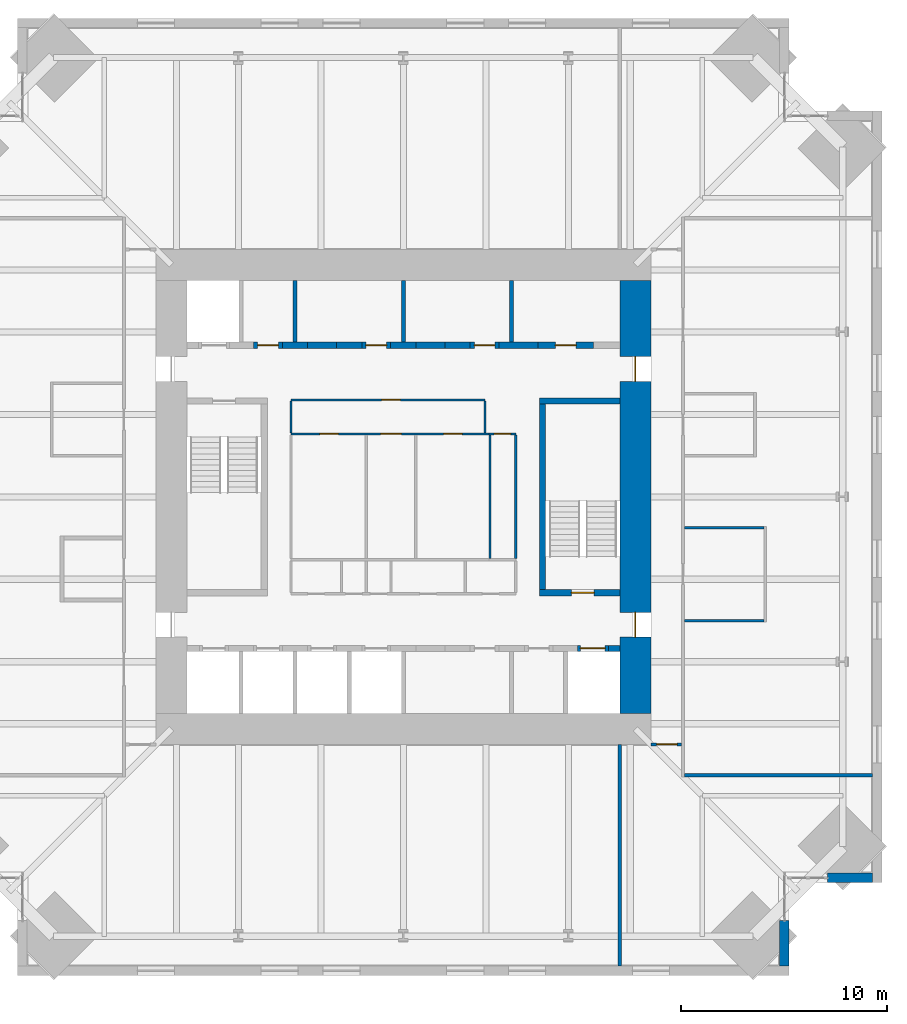
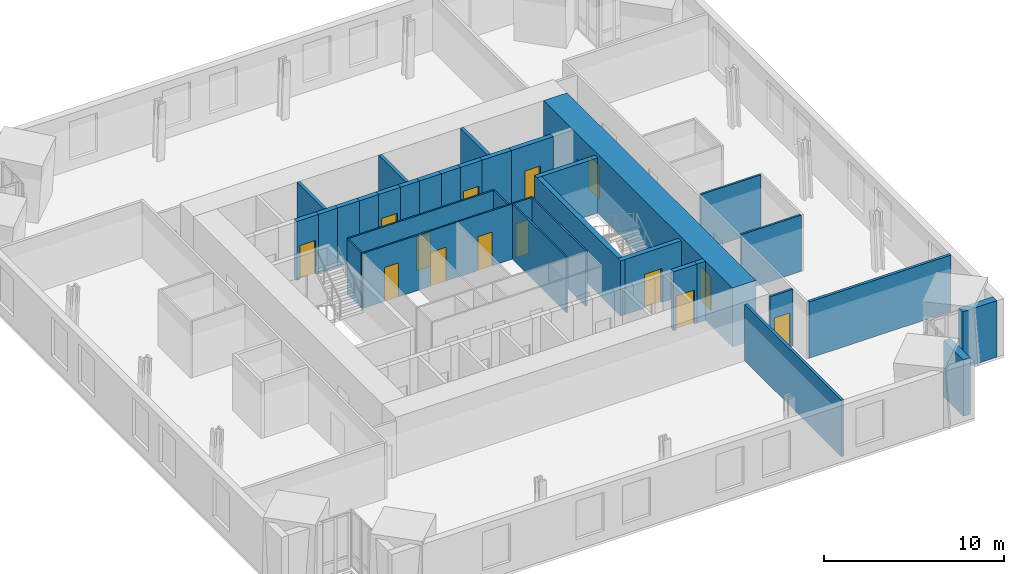
# One storey, part 12 of 15: 34 walls, 14 doors, 14 openings.
"""IFC4 building model written with IfcOpenShell, lengths in metres."""

from ifc_helpers import new_model, si_unit, direction, frame, frame_2d, origin, place, context, subcontext, project, spatial, rectangle, extrude, material, layer, layer_set, type_object, element, fill, save


model = new_model("IFC4")

# Units and contexts
model_context = context("Model", 3, precision=1e-05, world=origin(), true_north=direction((0.0, 1.0)))
body_context = subcontext(model_context, "Body", "Model", "MODEL_VIEW")
ifc_project = project(units=[si_unit("LENGTHUNIT", "METRE"), si_unit("AREAUNIT", "SQUARE_METRE"), si_unit("VOLUMEUNIT", "CUBIC_METRE"), si_unit("PLANEANGLEUNIT", "RADIAN"), si_unit("MASSUNIT", "GRAM", prefix="KILO")], contexts=[model_context])

# Site, building, storey
site_placement = place(None, origin())
site = spatial("IfcSite", under=ifc_project, at=site_placement, CompositionType="ELEMENT")
building_placement = place(site_placement, origin())
building = spatial("IfcBuilding", under=site, at=building_placement, Name="Peilmerk Tower", CompositionType="ELEMENT")
storey_placement = place(building_placement, frame((0.0, 0.0, 237.800048828125)))
storey = spatial("IfcBuildingStorey", under=building, at=storey_placement, Name="L52", CompositionType="ELEMENT", Elevation=237.800048828125)

# Walls
ifc_material_1 = material(Name="Precast concrete C45/55, board-marked finish", Category="concrete")
ifc_layer_1 = layer(ifc_material_1, 0.449951171875)
ifc_layer_set_1 = layer_set([ifc_layer_1], Name="Precast concrete C45/55, board-marked finish")
wall_type_1 = type_object("IfcWallType", Name="EW1 450 precast concrete facade wall, board-marked", PredefinedType="SOLIDWALL", material=ifc_layer_set_1)
for number, where, z_axis, x_axis, name in (
    (1, (18.47509765625, -20.5537109375, 0.0), (0.0, 0.0, 1.0), (0.0, -1.0, 0.0), "Facade wall SEA L52"),
    (2, (20.5537109375, -18.47509765625, 0.0), (0.0, 0.0, 1.0), (1.0, 0.0, 0.0), "Facade wall SEB L52"),
):
    element("IfcWall", number, at=place(storey_placement, frame(where, z_axis=z_axis, x_axis=x_axis)), inside=storey, type_object=wall_type_1, Name=name, PredefinedType="SOLIDWALL", context=body_context, shape_type="SweptSolid", body=[
        extrude(rectangle(XDim=2.1962890625, YDim=0.449951171875, at=frame_2d((1.09814453125, 0.0))), origin(), (0.0, 0.0, 1.0), 3.829833984375),
    ])

# Wall, opening, door
ifc_material_2 = material(Name="Calcium silicate block", Category="masonry")
ifc_layer_2 = layer(ifc_material_2, 0.14990234375)
ifc_layer_set_2 = layer_set([ifc_layer_2], Name="Calcium silicate block")
wall_type_2 = type_object("IfcWallType", Name="IW1 150 corridor partition, EI 60", PredefinedType="PARTITIONING", material=ifc_layer_set_2)
wall_1_placement = place(storey_placement, frame((13.47509765625, -12.0, 0.0), z_axis=(0.0, 0.0, 1.0), x_axis=(-1.0, 0.0, 0.0)))
wall_1 = element("IfcWall", 3, at=wall_1_placement, inside=storey, type_object=wall_type_2, Name="Corridor wall SE L52", PredefinedType="PARTITIONING", context=body_context, shape_type="SweptSolid", body=[
    extrude(rectangle(XDim=1.47509765625, YDim=0.14990234375, at=frame_2d((0.737548828125, 0.0))), origin(), (0.0, 0.0, 1.0), 3.829833984375),
])
opening_1_placement = place(wall_1_placement, frame((0.199951171875, 0.0, 0.0)))
opening_1 = element("IfcOpeningElement", 4, at=opening_1_placement, cuts=wall_1, Name="Opening D1", PredefinedType="OPENING", context=body_context, shape_type="SweptSolid", body=[
    extrude(rectangle(XDim=1.0, YDim=2.300048828125, at=frame_2d((0.5, 1.14990234375))), frame((0.0, 0.0849609375, 0.0), z_axis=(0.0, -1.0, 0.0), x_axis=(1.0, 0.0, 0.0)), (0.0, 0.0, 1.0), 0.169921875),
])
ifc_material_3 = material(Name="Timber door in steel frame", Category="steel")
door_type_1 = type_object("IfcDoorType", Name="D1 1000x2300 room door, EI2 30", OperationType="SINGLE_SWING_LEFT", PredefinedType="DOOR", material=ifc_material_3)
door_1_placement = place(opening_1_placement, origin())
door_1 = element("IfcDoor", 5, at=door_1_placement, inside=storey, type_object=door_type_1, Name="Door Project room L52", OperationType="SINGLE_SWING_LEFT", OverallHeight=2.300048828125, OverallWidth=1.0, PredefinedType="DOOR", context=body_context, shape_type="SweptSolid", body=[
    extrude(rectangle(XDim=1.0, YDim=2.300048828125, at=frame_2d((0.5, 1.14990234375))), frame((0.0, 0.02490234375, 0.0), z_axis=(0.0, -1.0, 0.0), x_axis=(1.0, 0.0, 0.0)), (0.0, 0.0, 1.0), 0.050048828125),
])
fill(opening_1, door_1)

# Walls
ifc_material_4 = material(Name="Concrete C35/45", Category="concrete")
ifc_layer_3 = layer(ifc_material_4, 0.300048828125)
ifc_layer_set_3 = layer_set([ifc_layer_3], Name="Concrete C35/45")
wall_type_3 = type_object("IfcWallType", Name="IW3 300 concrete stair enclosure wall, EI 120", PredefinedType="SOLIDWALL", material=ifc_layer_set_3)
wall_2_placement = place(storey_placement, frame((6.75, -4.800048828125, 0.0), z_axis=(0.0, 0.0, 1.0), x_axis=(0.0, 1.0, 0.0)))
element("IfcWall", 6, at=wall_2_placement, inside=storey, type_object=wall_type_3, Name="Stair 2 enclosure L52", PredefinedType="SOLIDWALL", context=body_context, shape_type="SweptSolid", body=[
    extrude(rectangle(XDim=9.60009765625, YDim=0.300048828125, at=frame_2d((4.800048828125, 0.0))), origin(), (0.0, 0.0, 1.0), 3.75),
])
wall_3_placement = place(storey_placement, frame((6.60009765625, 4.64990234375, 0.0), z_axis=(0.0, 0.0, 1.0), x_axis=(1.0, 0.0, 0.0)))
element("IfcWall", 7, at=wall_3_placement, inside=storey, type_object=wall_type_3, Name="Stair 2 enclosure L52", PredefinedType="SOLIDWALL", context=body_context, shape_type="SweptSolid", body=[
    extrude(rectangle(XDim=3.89990234375, YDim=0.300048828125, at=frame_2d((1.949951171875, 0.0))), origin(), (0.0, 0.0, 1.0), 3.75),
])

# Wall, opening, door
wall_4_placement = place(storey_placement, frame((10.5, -4.64990234375, 0.0), z_axis=(0.0, 0.0, 1.0), x_axis=(-1.0, 0.0, 0.0)))
wall_4 = element("IfcWall", 8, at=wall_4_placement, inside=storey, type_object=wall_type_3, Name="Stair 2 enclosure L52", PredefinedType="SOLIDWALL", context=body_context, shape_type="SweptSolid", body=[
    extrude(rectangle(XDim=3.89990234375, YDim=0.300048828125, at=frame_2d((1.949951171875, 0.0))), origin(), (0.0, 0.0, 1.0), 3.75),
])
opening_2_placement = place(wall_4_placement, frame((1.25, 0.0, 0.0)))
opening_2 = element("IfcOpeningElement", 9, at=opening_2_placement, cuts=wall_4, Name="Opening D4", PredefinedType="OPENING", context=body_context, shape_type="SweptSolid", body=[
    extrude(rectangle(XDim=1.10009765625, YDim=2.300048828125, at=frame_2d((0.550048828125, 1.14990234375))), frame((0.0, 0.159912109375, 0.0), z_axis=(0.0, -1.0, 0.0), x_axis=(1.0, 0.0, 0.0)), (0.0, 0.0, 1.0), 0.320068359375),
])
ifc_material_5 = material(Name="Steel door in steel frame", Category="steel")
door_type_2 = type_object("IfcDoorType", Name="D4 1100x2300 stair door, EI2 60", OperationType="SINGLE_SWING_RIGHT", PredefinedType="DOOR", material=ifc_material_5)
door_2_placement = place(opening_2_placement, frame((1.10009765625, 0.0, 0.0), z_axis=(0.0, 0.0, 1.0), x_axis=(-1.0, 0.0, 0.0)))
door_2 = element("IfcDoor", 10, at=door_2_placement, inside=storey, type_object=door_type_2, Name="Stair 2 door L52", OperationType="SINGLE_SWING_RIGHT", OverallHeight=2.300048828125, OverallWidth=1.10009765625, PredefinedType="DOOR", context=body_context, shape_type="SweptSolid", body=[
    extrude(rectangle(XDim=1.10009765625, YDim=2.300048828125, at=frame_2d((0.550048828125, 1.14990234375))), frame((0.0, 0.02490234375, 0.0), z_axis=(0.0, -1.0, 0.0), x_axis=(1.0, 0.0, 0.0)), (0.0, 0.0, 1.0), 0.050048828125),
])
fill(opening_2, door_2)

# Wall, openings, doors
ifc_material_6 = material(Name="Plasterboard on steel studs", Category="steel")
ifc_layer_4 = layer(ifc_material_6, 0.10009765625)
ifc_layer_set_4 = layer_set([ifc_layer_4], Name="Plasterboard on steel studs")
wall_type_4 = type_object("IfcWallType", Name="IW4 100 WC partition", PredefinedType="PARTITIONING", material=ifc_layer_set_4)
wall_5_placement = place(storey_placement, frame((-5.449951171875, 3.050048828125, 0.0), z_axis=(0.0, 0.0, 1.0), x_axis=(1.0, 0.0, 0.0)))
wall_5 = element("IfcWall", 11, at=wall_5_placement, inside=storey, type_object=wall_type_4, Name="WC wall L52", PredefinedType="PARTITIONING", context=body_context, shape_type="SweptSolid", body=[
    extrude(rectangle(XDim=9.599853515625, YDim=0.10009765625, at=frame_2d((4.7998046875, 0.0))), origin(), (0.0, 0.0, 1.0), 3.75),
])
opening_3_placement = place(wall_5_placement, frame((1.39990234375, 0.0, 0.0)))
opening_3 = element("IfcOpeningElement", 12, at=opening_3_placement, cuts=wall_5, Name="Opening D5", PredefinedType="OPENING", context=body_context, shape_type="SweptSolid", body=[
    extrude(rectangle(XDim=0.89990234375, YDim=2.300048828125, at=frame_2d((0.449951171875, 1.14990234375))), frame((0.0, 0.06005859375, 0.0), z_axis=(0.0, -1.0, 0.0), x_axis=(1.0, 0.0, 0.0)), (0.0, 0.0, 1.0), 0.1201171875),
])
opening_4_placement = place(wall_5_placement, frame((4.35009765625, 0.0, 0.0)))
opening_4 = element("IfcOpeningElement", 13, at=opening_4_placement, cuts=wall_5, Name="Opening D6", PredefinedType="OPENING", context=body_context, shape_type="SweptSolid", body=[
    extrude(rectangle(XDim=1.0, YDim=2.300048828125, at=frame_2d((0.5, 1.14990234375))), frame((0.0, 0.06005859375, 0.0), z_axis=(0.0, -1.0, 0.0), x_axis=(1.0, 0.0, 0.0)), (0.0, 0.0, 1.0), 0.1201171875),
])
opening_5_placement = place(wall_5_placement, frame((7.39990234375, 0.0, 0.0)))
opening_5 = element("IfcOpeningElement", 14, at=opening_5_placement, cuts=wall_5, Name="Opening D5", PredefinedType="OPENING", context=body_context, shape_type="SweptSolid", body=[
    extrude(rectangle(XDim=0.89990234375, YDim=2.300048828125, at=frame_2d((0.449951171875, 1.14990234375))), frame((0.0, 0.06005859375, 0.0), z_axis=(0.0, -1.0, 0.0), x_axis=(1.0, 0.0, 0.0)), (0.0, 0.0, 1.0), 0.1201171875),
])
door_type_3 = type_object("IfcDoorType", Name="D5 900x2300 WC door", OperationType="SINGLE_SWING_LEFT", PredefinedType="DOOR", material=ifc_material_3)
door_3_placement = place(opening_3_placement, frame((0.89990234375, 0.0, 0.0), z_axis=(0.0, 0.0, 1.0), x_axis=(-1.0, 0.0, 0.0)))
door_3 = element("IfcDoor", 15, at=door_3_placement, inside=storey, type_object=door_type_3, Name="Female toilets door L52", OperationType="SINGLE_SWING_LEFT", OverallHeight=2.300048828125, OverallWidth=0.89990234375, PredefinedType="DOOR", context=body_context, shape_type="SweptSolid", body=[
    extrude(rectangle(XDim=0.89990234375, YDim=2.300048828125, at=frame_2d((0.449951171875, 1.14990234375))), frame((0.0, 0.02490234375, 0.0), z_axis=(0.0, -1.0, 0.0), x_axis=(1.0, 0.0, 0.0)), (0.0, 0.0, 1.0), 0.050048828125),
])
fill(opening_3, door_3)
door_4_placement = place(opening_5_placement, frame((0.89990234375, 0.0, 0.0), z_axis=(0.0, 0.0, 1.0), x_axis=(-1.0, 0.0, 0.0)))
door_4 = element("IfcDoor", 16, at=door_4_placement, inside=storey, type_object=door_type_3, Name="Male toilets door L52", OperationType="SINGLE_SWING_LEFT", OverallHeight=2.300048828125, OverallWidth=0.89990234375, PredefinedType="DOOR", context=body_context, shape_type="SweptSolid", body=[
    extrude(rectangle(XDim=0.89990234375, YDim=2.300048828125, at=frame_2d((0.449951171875, 1.14990234375))), frame((0.0, 0.02490234375, 0.0), z_axis=(0.0, -1.0, 0.0), x_axis=(1.0, 0.0, 0.0)), (0.0, 0.0, 1.0), 0.050048828125),
])
fill(opening_5, door_4)
door_type_4 = type_object("IfcDoorType", Name="D6 1000x2300 accessible WC door", OperationType="SLIDING_TO_LEFT", PredefinedType="DOOR", material=ifc_material_3)
door_5_placement = place(opening_4_placement, frame((1.0, 0.0, 0.0), z_axis=(0.0, 0.0, 1.0), x_axis=(-1.0, 0.0, 0.0)))
door_5 = element("IfcDoor", 17, at=door_5_placement, inside=storey, type_object=door_type_4, Name="Accessible WC door L52", OperationType="SLIDING_TO_LEFT", OverallHeight=2.300048828125, OverallWidth=1.0, PredefinedType="DOOR", context=body_context, shape_type="SweptSolid", body=[
    extrude(rectangle(XDim=1.0, YDim=2.300048828125, at=frame_2d((0.5, 1.14990234375))), frame((0.0, 0.02490234375, 0.0), z_axis=(0.0, -1.0, 0.0), x_axis=(1.0, 0.0, 0.0)), (0.0, 0.0, 1.0), 0.050048828125),
])
fill(opening_4, door_5)

# Wall, opening, door
ifc_material_7 = material(Name="Calcium silicate board on steel studs", Category="steel")
ifc_layer_5 = layer(ifc_material_7, 0.10009765625)
ifc_layer_set_5 = layer_set([ifc_layer_5], Name="Calcium silicate board on steel studs")
wall_type_5 = type_object("IfcWallType", Name="IW5 100 riser enclosure wall, EI 60", PredefinedType="PARTITIONING", material=ifc_layer_set_5)
wall_6_placement = place(storey_placement, frame((4.14990234375, 3.050048828125, 0.0), z_axis=(0.0, 0.0, 1.0), x_axis=(1.0, 0.0, 0.0)))
wall_6 = element("IfcWall", 18, at=wall_6_placement, inside=storey, type_object=wall_type_5, Name="Riser wall L52", PredefinedType="PARTITIONING", context=body_context, shape_type="SweptSolid", body=[
    extrude(rectangle(XDim=1.300048828125, YDim=0.10009765625, at=frame_2d((0.64990234375, 0.0))), origin(), (0.0, 0.0, 1.0), 3.75),
])
opening_6_placement = place(wall_6_placement, frame((0.25, 0.0, 0.0)))
opening_6 = element("IfcOpeningElement", 19, at=opening_6_placement, cuts=wall_6, Name="Opening D7", PredefinedType="OPENING", context=body_context, shape_type="SweptSolid", body=[
    extrude(rectangle(XDim=0.800048828125, YDim=2.300048828125, at=frame_2d((0.39990234375, 1.14990234375))), frame((0.0, 0.06005859375, 0.0), z_axis=(0.0, -1.0, 0.0), x_axis=(1.0, 0.0, 0.0)), (0.0, 0.0, 1.0), 0.1201171875),
])
door_type_5 = type_object("IfcDoorType", Name="D7 800x2300 riser access door, EI2 60", OperationType="SINGLE_SWING_RIGHT", PredefinedType="DOOR", material=ifc_material_5)
door_6_placement = place(opening_6_placement, frame((0.800048828125, 0.0, 0.0), z_axis=(0.0, 0.0, 1.0), x_axis=(-1.0, 0.0, 0.0)))
door_6 = element("IfcDoor", 20, at=door_6_placement, inside=storey, type_object=door_type_5, Name="Plumbing riser door L52", OperationType="SINGLE_SWING_RIGHT", OverallHeight=2.300048828125, OverallWidth=0.800048828125, PredefinedType="DOOR", context=body_context, shape_type="SweptSolid", body=[
    extrude(rectangle(XDim=0.800048828125, YDim=2.300048828125, at=frame_2d((0.39990234375, 1.14990234375))), frame((0.0, 0.02490234375, 0.0), z_axis=(0.0, -1.0, 0.0), x_axis=(1.0, 0.0, 0.0)), (0.0, 0.0, 1.0), 0.050048828125),
])
fill(opening_6, door_6)

# Walls
for number, where, z_axis, x_axis, name in (
    (21, (5.449951171875, 3.0, 0.0), (0.0, 0.0, 1.0), (0.0, -1.0, 0.0), "Riser wall L52"),
    (22, (4.199951171875, -3.0, 0.0), (0.0, 0.0, 1.0), (0.0, 1.0, 0.0), "Riser wall L52"),
):
    element("IfcWall", number, at=place(storey_placement, frame(where, z_axis=z_axis, x_axis=x_axis)), inside=storey, type_object=wall_type_5, Name=name, PredefinedType="PARTITIONING", context=body_context, shape_type="SweptSolid", body=[
        extrude(rectangle(XDim=6.0, YDim=0.10009765625, at=frame_2d((3.0, 0.0))), origin(), (0.0, 0.0, 1.0), 3.75),
    ])
ifc_material_8 = material(Name="Plasterboard on steel studs, double boarded with mineral wool", Category="steel")
ifc_layer_6 = layer(ifc_material_8, 0.125)
ifc_layer_set_6 = layer_set([ifc_layer_6], Name="Plasterboard on steel studs, double boarded with mineral wool")
wall_type_6 = type_object("IfcWallType", Name="IW7 125 acoustic partition, EI 30", PredefinedType="PARTITIONING", material=ifc_layer_set_6)
for number, where, z_axis, x_axis, name in (
    (23, (13.625, -6.0, 0.0), (0.0, 0.0, 1.0), (1.0, 0.0, 0.0), "Acoustic partition Meeting room L52"),
    (24, (13.625, -1.5, 0.0), (0.0, 0.0, 1.0), (1.0, 0.0, 0.0), "Acoustic partition Meeting room L52"),
):
    element("IfcWall", number, at=place(storey_placement, frame(where, z_axis=z_axis, x_axis=x_axis)), inside=storey, type_object=wall_type_6, Name=name, PredefinedType="PARTITIONING", context=body_context, shape_type="SweptSolid", body=[
        extrude(rectangle(XDim=3.862548828125, YDim=0.125, at=frame_2d((1.93115234375, 0.0))), origin(), (0.0, 0.0, 1.0), 3.829833984375),
    ])
ifc_layer_7 = layer(ifc_material_2, 0.175048828125)
ifc_layer_set_7 = layer_set([ifc_layer_7], Name="Calcium silicate block")
wall_type_7 = type_object("IfcWallType", Name="IW8 175 tenant separating wall, EI 60", PredefinedType="PARTITIONING", material=ifc_layer_set_7)
wall_7_placement = place(storey_placement, frame((22.75, -13.5, 0.0), z_axis=(0.0, 0.0, 1.0), x_axis=(-1.0, 0.0, 0.0)))
element("IfcWall", 25, at=wall_7_placement, inside=storey, type_object=wall_type_7, Name="Tenant separating wall SE L52", PredefinedType="PARTITIONING", context=body_context, shape_type="SweptSolid", body=[
    extrude(rectangle(XDim=9.125, YDim=0.175048828125, at=frame_2d((4.5625, 0.0))), origin(), (0.0, 0.0, 1.0), 3.829833984375),
])
wall_8_placement = place(storey_placement, frame((10.5, -12.0, 0.0), z_axis=(0.0, 0.0, 1.0), x_axis=(0.0, -1.0, 0.0)))
element("IfcWall", 26, at=wall_8_placement, inside=storey, type_object=wall_type_7, Name="Tenant separating wall S1 L52", PredefinedType="PARTITIONING", context=body_context, shape_type="SweptSolid", body=[
    extrude(rectangle(XDim=10.75, YDim=0.175048828125, at=frame_2d((5.375, 0.0))), origin(), (0.0, 0.0, 1.0), 3.829833984375),
])

# Wall, opening, door
ifc_material_9 = material(Name="Fire-resisting plasterboard on steel studs", Category="steel")
ifc_layer_8 = layer(ifc_material_9, 0.10009765625)
ifc_layer_set_8 = layer_set([ifc_layer_8], Name="Fire-resisting plasterboard on steel studs")
wall_type_8 = type_object("IfcWallType", Name="IW9 100 WC lobby wall, EI 30", PredefinedType="PARTITIONING", material=ifc_layer_set_8)
wall_9_placement = place(storey_placement, frame((-5.449951171875, 4.699951171875, 0.0), z_axis=(0.0, 0.0, 1.0), x_axis=(1.0, 0.0, 0.0)))
wall_9 = element("IfcWall", 27, at=wall_9_placement, inside=storey, type_object=wall_type_8, Name="WC lobby wall L52", PredefinedType="PARTITIONING", context=body_context, shape_type="SweptSolid", body=[
    extrude(rectangle(XDim=9.39990234375, YDim=0.10009765625, at=frame_2d((4.699951171875, 0.0))), origin(), (0.0, 0.0, 1.0), 3.75),
])
opening_7_placement = place(wall_9_placement, frame((4.39990234375, 0.0, 0.0)))
opening_7 = element("IfcOpeningElement", 28, at=opening_7_placement, cuts=wall_9, Name="Opening D11", PredefinedType="OPENING", context=body_context, shape_type="SweptSolid", body=[
    extrude(rectangle(XDim=0.89990234375, YDim=2.300048828125, at=frame_2d((0.449951171875, 1.14990234375))), frame((0.0, 0.06005859375, 0.0), z_axis=(0.0, -1.0, 0.0), x_axis=(1.0, 0.0, 0.0)), (0.0, 0.0, 1.0), 0.1201171875),
])
door_type_6 = type_object("IfcDoorType", Name="D11 900x2300 WC lobby door, EI2 30", OperationType="SINGLE_SWING_LEFT", PredefinedType="DOOR", material=ifc_material_3)
door_7_placement = place(opening_7_placement, frame((0.89990234375, 0.0, 0.0), z_axis=(0.0, 0.0, 1.0), x_axis=(-1.0, 0.0, 0.0)))
door_7 = element("IfcDoor", 29, at=door_7_placement, inside=storey, type_object=door_type_6, Name="WC lobby door L52", OperationType="SINGLE_SWING_LEFT", OverallHeight=2.300048828125, OverallWidth=0.89990234375, PredefinedType="DOOR", context=body_context, shape_type="SweptSolid", body=[
    extrude(rectangle(XDim=0.89990234375, YDim=2.300048828125, at=frame_2d((0.449951171875, 1.14990234375))), frame((0.0, 0.02490234375, 0.0), z_axis=(0.0, -1.0, 0.0), x_axis=(1.0, 0.0, 0.0)), (0.0, 0.0, 1.0), 0.050048828125),
])
fill(opening_7, door_7)

# Walls
for number, where, z_axis, x_axis, name in (
    (30, (-5.449951171875, 3.10009765625, 0.0), (0.0, 0.0, 1.0), (0.0, 1.0, 0.0), "WC lobby wall L52"),
    (31, (3.949951171875, 3.10009765625, 0.0), (0.0, 0.0, 1.0), (0.0, 1.0, 0.0), "WC lobby wall L52"),
):
    element("IfcWall", number, at=place(storey_placement, frame(where, z_axis=z_axis, x_axis=x_axis)), inside=storey, type_object=wall_type_8, Name=name, PredefinedType="PARTITIONING", context=body_context, shape_type="SweptSolid", body=[
        extrude(rectangle(XDim=1.5498046875, YDim=0.10009765625, at=frame_2d((0.77490234375, 0.0))), origin(), (0.0, 0.0, 1.0), 3.75),
    ])
ifc_layer_9 = layer(ifc_material_2, 0.199951171875)
ifc_layer_set_9 = layer_set([ifc_layer_9], Name="Calcium silicate block")
wall_type_9 = type_object("IfcWallType", Name="SH1 200 shaft dividing wall, EI 120", PredefinedType="PARTITIONING", material=ifc_layer_set_9)
for number, where, z_axis, x_axis, name in (
    (32, (-5.25, 7.5, 0.0), (0.0, 0.0, 1.0), (0.0, 1.0, 0.0), "Shaft wall N A1 L52"),
    (33, (0.0, 7.5, 0.0), (0.0, 0.0, 1.0), (0.0, 1.0, 0.0), "Shaft wall N A3 L52"),
    (34, (5.25, 7.5, 0.0), (0.0, 0.0, 1.0), (0.0, 1.0, 0.0), "Shaft wall N S2 L52"),
):
    element("IfcWall", number, at=place(storey_placement, frame(where, z_axis=z_axis, x_axis=x_axis)), inside=storey, type_object=wall_type_9, Name=name, PredefinedType="PARTITIONING", context=body_context, shape_type="SweptSolid", body=[
        extrude(rectangle(XDim=3.0, YDim=0.199951171875, at=frame_2d((1.5, 0.0))), origin(), (0.0, 0.0, 1.0), 4.0),
    ])

# Wall, opening, door
ifc_layer_10 = layer(ifc_material_2, 0.300048828125)
ifc_layer_set_10 = layer_set([ifc_layer_10], Name="Calcium silicate block")
wall_type_10 = type_object("IfcWallType", Name="SH2 300 lift landing door panel, EI 120", PredefinedType="PARTITIONING", material=ifc_layer_set_10)
wall_10_placement = place(storey_placement, frame((-7.262451171875, 7.35009765625, 0.0), z_axis=(0.0, 0.0, 1.0), x_axis=(1.0, 0.0, 0.0)))
wall_10 = element("IfcWall", 35, at=wall_10_placement, inside=storey, type_object=wall_type_10, Name="Lift door panel N A1 L52", PredefinedType="PARTITIONING", context=body_context, shape_type="SweptSolid", body=[
    extrude(rectangle(XDim=1.39990234375, YDim=0.300048828125, at=frame_2d((0.699951171875, 0.0))), origin(), (0.0, 0.0, 1.0), 4.0),
])
opening_8_placement = place(wall_10_placement, frame((0.199951171875, 0.0, 0.0)))
opening_8 = element("IfcOpeningElement", 36, at=opening_8_placement, cuts=wall_10, Name="Opening D10", PredefinedType="OPENING", context=body_context, shape_type="SweptSolid", body=[
    extrude(rectangle(XDim=1.0, YDim=2.300048828125, at=frame_2d((0.5, 1.14990234375))), frame((0.0, 0.159912109375, 0.0), z_axis=(0.0, -1.0, 0.0), x_axis=(1.0, 0.0, 0.0)), (0.0, 0.0, 1.0), 0.320068359375),
])
door_type_7 = type_object("IfcDoorType", Name="D10 1000x2300 core room door, EI2 60", OperationType="SINGLE_SWING_RIGHT", PredefinedType="DOOR", material=ifc_material_5)
door_8_placement = place(opening_8_placement, origin())
door_8 = element("IfcDoor", 37, at=door_8_placement, inside=storey, type_object=door_type_7, Name="Door Staff WC L52", OperationType="SINGLE_SWING_RIGHT", OverallHeight=2.300048828125, OverallWidth=1.0, PredefinedType="DOOR", context=body_context, shape_type="SweptSolid", body=[
    extrude(rectangle(XDim=1.0, YDim=2.300048828125, at=frame_2d((0.5, 1.14990234375))), frame((0.0, 0.02490234375, 0.0), z_axis=(0.0, -1.0, 0.0), x_axis=(1.0, 0.0, 0.0)), (0.0, 0.0, 1.0), 0.050048828125),
])
fill(opening_8, door_8)

# Wall
wall_11_placement = place(storey_placement, frame((-4.637451171875, 7.35009765625, 0.0), z_axis=(0.0, 0.0, 1.0), x_axis=(1.0, 0.0, 0.0)))
element("IfcWall", 38, at=wall_11_placement, inside=storey, type_object=wall_type_10, Name="Lift door panel N A2 L52", PredefinedType="PARTITIONING", context=body_context, shape_type="SweptSolid", body=[
    extrude(rectangle(XDim=1.39990234375, YDim=0.300048828125, at=frame_2d((0.699951171875, 0.0))), origin(), (0.0, 0.0, 1.0), 4.0),
])

# Wall, opening, door
wall_12_placement = place(storey_placement, frame((-2.012451171875, 7.35009765625, 0.0), z_axis=(0.0, 0.0, 1.0), x_axis=(1.0, 0.0, 0.0)))
wall_12 = element("IfcWall", 39, at=wall_12_placement, inside=storey, type_object=wall_type_10, Name="Lift door panel N A3 L52", PredefinedType="PARTITIONING", context=body_context, shape_type="SweptSolid", body=[
    extrude(rectangle(XDim=1.39990234375, YDim=0.300048828125, at=frame_2d((0.699951171875, 0.0))), origin(), (0.0, 0.0, 1.0), 4.0),
])
opening_9_placement = place(wall_12_placement, frame((0.199951171875, 0.0, 0.0)))
opening_9 = element("IfcOpeningElement", 40, at=opening_9_placement, cuts=wall_12, Name="Opening D10", PredefinedType="OPENING", context=body_context, shape_type="SweptSolid", body=[
    extrude(rectangle(XDim=1.0, YDim=2.300048828125, at=frame_2d((0.5, 1.14990234375))), frame((0.0, 0.159912109375, 0.0), z_axis=(0.0, -1.0, 0.0), x_axis=(1.0, 0.0, 0.0)), (0.0, 0.0, 1.0), 0.320068359375),
])
door_9_placement = place(opening_9_placement, origin())
door_9 = element("IfcDoor", 41, at=door_9_placement, inside=storey, type_object=door_type_7, Name="Door Mail room L52", OperationType="SINGLE_SWING_RIGHT", OverallHeight=2.300048828125, OverallWidth=1.0, PredefinedType="DOOR", context=body_context, shape_type="SweptSolid", body=[
    extrude(rectangle(XDim=1.0, YDim=2.300048828125, at=frame_2d((0.5, 1.14990234375))), frame((0.0, 0.02490234375, 0.0), z_axis=(0.0, -1.0, 0.0), x_axis=(1.0, 0.0, 0.0)), (0.0, 0.0, 1.0), 0.050048828125),
])
fill(opening_9, door_9)

# Wall
wall_13_placement = place(storey_placement, frame((0.612548828125, 7.35009765625, 0.0), z_axis=(0.0, 0.0, 1.0), x_axis=(1.0, 0.0, 0.0)))
element("IfcWall", 42, at=wall_13_placement, inside=storey, type_object=wall_type_10, Name="Lift door panel N S1 L52", PredefinedType="PARTITIONING", context=body_context, shape_type="SweptSolid", body=[
    extrude(rectangle(XDim=1.39990234375, YDim=0.300048828125, at=frame_2d((0.699951171875, 0.0))), origin(), (0.0, 0.0, 1.0), 4.0),
])

# Wall, opening, door
wall_14_placement = place(storey_placement, frame((3.237548828125, 7.35009765625, 0.0), z_axis=(0.0, 0.0, 1.0), x_axis=(1.0, 0.0, 0.0)))
wall_14 = element("IfcWall", 43, at=wall_14_placement, inside=storey, type_object=wall_type_10, Name="Lift door panel N S2 L52", PredefinedType="PARTITIONING", context=body_context, shape_type="SweptSolid", body=[
    extrude(rectangle(XDim=1.39990234375, YDim=0.300048828125, at=frame_2d((0.699951171875, 0.0))), origin(), (0.0, 0.0, 1.0), 4.0),
])
opening_10_placement = place(wall_14_placement, frame((0.199951171875, 0.0, 0.0)))
opening_10 = element("IfcOpeningElement", 44, at=opening_10_placement, cuts=wall_14, Name="Opening D10", PredefinedType="OPENING", context=body_context, shape_type="SweptSolid", body=[
    extrude(rectangle(XDim=1.0, YDim=2.300048828125, at=frame_2d((0.5, 1.14990234375))), frame((0.0, 0.159912109375, 0.0), z_axis=(0.0, -1.0, 0.0), x_axis=(1.0, 0.0, 0.0)), (0.0, 0.0, 1.0), 0.320068359375),
])
door_10_placement = place(opening_10_placement, origin())
door_10 = element("IfcDoor", 45, at=door_10_placement, inside=storey, type_object=door_type_7, Name="Door First aid room L52", OperationType="SINGLE_SWING_RIGHT", OverallHeight=2.300048828125, OverallWidth=1.0, PredefinedType="DOOR", context=body_context, shape_type="SweptSolid", body=[
    extrude(rectangle(XDim=1.0, YDim=2.300048828125, at=frame_2d((0.5, 1.14990234375))), frame((0.0, 0.02490234375, 0.0), z_axis=(0.0, -1.0, 0.0), x_axis=(1.0, 0.0, 0.0)), (0.0, 0.0, 1.0), 0.050048828125),
])
fill(opening_10, door_10)

wall_15_placement = place(storey_placement, frame((6.52490234375, 7.35009765625, 0.0), z_axis=(0.0, 0.0, 1.0), x_axis=(1.0, 0.0, 0.0)))
wall_15 = element("IfcWall", 46, at=wall_15_placement, inside=storey, type_object=wall_type_10, Name="Lift door panel N GL1 L52", PredefinedType="PARTITIONING", context=body_context, shape_type="SweptSolid", body=[
    extrude(rectangle(XDim=2.7001953125, YDim=0.300048828125, at=frame_2d((1.35009765625, 0.0))), origin(), (0.0, 0.0, 1.0), 4.0),
])
opening_11_placement = place(wall_15_placement, frame((0.85009765625, 0.0, 0.0)))
opening_11 = element("IfcOpeningElement", 47, at=opening_11_placement, cuts=wall_15, Name="Opening D10", PredefinedType="OPENING", context=body_context, shape_type="SweptSolid", body=[
    extrude(rectangle(XDim=1.0, YDim=2.300048828125, at=frame_2d((0.5, 1.14990234375))), frame((0.0, 0.159912109375, 0.0), z_axis=(0.0, -1.0, 0.0), x_axis=(1.0, 0.0, 0.0)), (0.0, 0.0, 1.0), 0.320068359375),
])
door_11_placement = place(opening_11_placement, origin())
door_11 = element("IfcDoor", 48, at=door_11_placement, inside=storey, type_object=door_type_7, Name="Door Electrical room L52", OperationType="SINGLE_SWING_RIGHT", OverallHeight=2.300048828125, OverallWidth=1.0, PredefinedType="DOOR", context=body_context, shape_type="SweptSolid", body=[
    extrude(rectangle(XDim=1.0, YDim=2.300048828125, at=frame_2d((0.5, 1.14990234375))), frame((0.0, 0.02490234375, 0.0), z_axis=(0.0, -1.0, 0.0), x_axis=(1.0, 0.0, 0.0)), (0.0, 0.0, 1.0), 0.050048828125),
])
fill(opening_11, door_11)

wall_16_placement = place(storey_placement, frame((8.4375, -7.35009765625, 0.0), z_axis=(0.0, 0.0, 1.0), x_axis=(1.0, 0.0, 0.0)))
wall_16 = element("IfcWall", 49, at=wall_16_placement, inside=storey, type_object=wall_type_10, Name="Lift door panel S FL2 L52", PredefinedType="PARTITIONING", context=body_context, shape_type="SweptSolid", body=[
    extrude(rectangle(XDim=1.5, YDim=0.300048828125, at=frame_2d((0.75, 0.0))), origin(), (0.0, 0.0, 1.0), 4.0),
])
opening_12_placement = place(wall_16_placement, frame((0.14990234375, 0.0, 0.0)))
opening_12 = element("IfcOpeningElement", 50, at=opening_12_placement, cuts=wall_16, Name="Opening LD2", PredefinedType="OPENING", context=body_context, shape_type="SweptSolid", body=[
    extrude(rectangle(XDim=1.199951171875, YDim=2.300048828125, at=frame_2d((0.60009765625, 1.14990234375))), frame((0.0, 0.159912109375, 0.0), z_axis=(0.0, -1.0, 0.0), x_axis=(1.0, 0.0, 0.0)), (0.0, 0.0, 1.0), 0.320068359375),
])
ifc_material_10 = material(Name="Stainless steel landing door", Category="steel")
door_type_8 = type_object("IfcDoorType", Name="LD2 1200x2300 lift landing door, sliding, EI2 60", OperationType="SLIDING_TO_LEFT", PredefinedType="DOOR", material=ifc_material_10)
door_12_placement = place(opening_12_placement, origin())
door_12 = element("IfcDoor", 51, at=door_12_placement, inside=storey, type_object=door_type_8, Name="Lift landing door FL2 L52", OperationType="SLIDING_TO_LEFT", OverallHeight=2.300048828125, OverallWidth=1.199951171875, PredefinedType="DOOR", context=body_context, shape_type="SweptSolid", body=[
    extrude(rectangle(XDim=1.199951171875, YDim=2.300048828125, at=frame_2d((0.60009765625, 1.14990234375))), frame((0.0, 0.02490234375, 0.0), z_axis=(0.0, -1.0, 0.0), x_axis=(1.0, 0.0, 0.0)), (0.0, 0.0, 1.0), 0.050048828125),
])
fill(opening_12, door_12)

# Wall, openings, doors
ifc_material_11 = material(Name="Concrete C55/67", Category="concrete")
ifc_layer_11 = layer(ifc_material_11, 1.5)
ifc_layer_set_11 = layer_set([ifc_layer_11], Name="Concrete C55/67")
wall_type_11 = type_object("IfcWallType", Name="SW1 1500 core wall", PredefinedType="SHEAR", material=ifc_layer_set_11)
wall_17_placement = place(storey_placement, frame((11.25, 10.5, 0.0), z_axis=(0.0, 0.0, 1.0), x_axis=(0.0, -1.0, 0.0)))
wall_17 = element("IfcWall", 52, at=wall_17_placement, inside=storey, type_object=wall_type_11, Name="Core wall E L52", PredefinedType="SHEAR", context=body_context, shape_type="SweptSolid", body=[
    extrude(rectangle(XDim=21.0, YDim=1.5, at=frame_2d((10.5, 0.0))), origin(), (0.0, 0.0, 1.0), 4.0),
])
opening_13_placement = place(wall_17_placement, frame((3.699951171875, 0.0, 0.0)))
opening_13 = element("IfcOpeningElement", 53, at=opening_13_placement, cuts=wall_17, Name="Opening D3", PredefinedType="OPENING", context=body_context, shape_type="SweptSolid", body=[
    extrude(rectangle(XDim=1.199951171875, YDim=2.300048828125, at=frame_2d((0.60009765625, 1.14990234375))), frame((0.0, 0.760009765625, 0.0), z_axis=(0.0, -1.0, 0.0), x_axis=(1.0, 0.0, 0.0)), (0.0, 0.0, 1.0), 1.52001953125),
])
opening_14_placement = place(wall_17_placement, frame((16.10009765625, 0.0, 0.0)))
opening_14 = element("IfcOpeningElement", 54, at=opening_14_placement, cuts=wall_17, Name="Opening D3", PredefinedType="OPENING", context=body_context, shape_type="SweptSolid", body=[
    extrude(rectangle(XDim=1.199951171875, YDim=2.300048828125, at=frame_2d((0.60009765625, 1.14990234375))), frame((0.0, 0.760009765625, 0.0), z_axis=(0.0, -1.0, 0.0), x_axis=(1.0, 0.0, 0.0)), (0.0, 0.0, 1.0), 1.52001953125),
])
door_type_9 = type_object("IfcDoorType", Name="D3 1200x2300 core door, EI2 60", OperationType="SINGLE_SWING_LEFT", PredefinedType="DOOR", material=ifc_material_5)
door_13_placement = place(opening_13_placement, frame((1.199951171875, 0.0, 0.0), z_axis=(0.0, 0.0, 1.0), x_axis=(-1.0, 0.0, 0.0)))
door_13 = element("IfcDoor", 55, at=door_13_placement, inside=storey, type_object=door_type_9, Name="Core door L52", OperationType="SINGLE_SWING_LEFT", OverallHeight=2.300048828125, OverallWidth=1.199951171875, PredefinedType="DOOR", context=body_context, shape_type="SweptSolid", body=[
    extrude(rectangle(XDim=1.199951171875, YDim=2.300048828125, at=frame_2d((0.60009765625, 1.14990234375))), frame((0.0, 0.02490234375, 0.0), z_axis=(0.0, -1.0, 0.0), x_axis=(1.0, 0.0, 0.0)), (0.0, 0.0, 1.0), 0.050048828125),
])
fill(opening_13, door_13)
door_14_placement = place(opening_14_placement, frame((1.199951171875, 0.0, 0.0), z_axis=(0.0, 0.0, 1.0), x_axis=(-1.0, 0.0, 0.0)))
door_14 = element("IfcDoor", 56, at=door_14_placement, inside=storey, type_object=door_type_9, Name="Core door L52", OperationType="SINGLE_SWING_LEFT", OverallHeight=2.300048828125, OverallWidth=1.199951171875, PredefinedType="DOOR", context=body_context, shape_type="SweptSolid", body=[
    extrude(rectangle(XDim=1.199951171875, YDim=2.300048828125, at=frame_2d((0.60009765625, 1.14990234375))), frame((0.0, 0.02490234375, 0.0), z_axis=(0.0, -1.0, 0.0), x_axis=(1.0, 0.0, 0.0)), (0.0, 0.0, 1.0), 0.050048828125),
])
fill(opening_14, door_14)

# Walls
ifc_layer_12 = layer(ifc_material_11, 0.300048828125)
ifc_layer_set_12 = layer_set([ifc_layer_12], Name="Concrete C55/67")
wall_type_12 = type_object("IfcWallType", Name="SW2 300 lift bank pier", PredefinedType="SHEAR", material=ifc_layer_set_12)
for number, where, z_axis, x_axis, name in (
    (57, (-5.862548828125, 7.35009765625, 0.0), (0.0, 0.0, 1.0), (1.0, 0.0, 0.0), "Lift bank pier N L52"),
    (58, (-3.237548828125, 7.35009765625, 0.0), (0.0, 0.0, 1.0), (1.0, 0.0, 0.0), "Lift bank pier N L52"),
    (59, (-0.612548828125, 7.35009765625, 0.0), (0.0, 0.0, 1.0), (1.0, 0.0, 0.0), "Lift bank pier N L52"),
    (60, (2.012451171875, 7.35009765625, 0.0), (0.0, 0.0, 1.0), (1.0, 0.0, 0.0), "Lift bank pier N L52"),
):
    element("IfcWall", number, at=place(storey_placement, frame(where, z_axis=z_axis, x_axis=x_axis)), inside=storey, type_object=wall_type_12, Name=name, PredefinedType="SHEAR", context=body_context, shape_type="SweptSolid", body=[
        extrude(rectangle(XDim=1.22509765625, YDim=0.300048828125, at=frame_2d((0.612548828125, 0.0))), origin(), (0.0, 0.0, 1.0), 4.0),
    ])
wall_18_placement = place(storey_placement, frame((4.637451171875, 7.35009765625, 0.0), z_axis=(0.0, 0.0, 1.0), x_axis=(1.0, 0.0, 0.0)))
element("IfcWall", 61, at=wall_18_placement, inside=storey, type_object=wall_type_12, Name="Lift bank pier N L52", PredefinedType="SHEAR", context=body_context, shape_type="SweptSolid", body=[
    extrude(rectangle(XDim=1.887451171875, YDim=0.300048828125, at=frame_2d((0.94384765625, 0.0))), origin(), (0.0, 0.0, 1.0), 4.0),
])
wall_19_placement = place(storey_placement, frame((9.9375, -7.35009765625, 0.0), z_axis=(0.0, 0.0, 1.0), x_axis=(1.0, 0.0, 0.0)))
element("IfcWall", 62, at=wall_19_placement, inside=storey, type_object=wall_type_12, Name="Lift bank pier S L52", PredefinedType="SHEAR", context=body_context, shape_type="SweptSolid", body=[
    extrude(rectangle(XDim=0.5625, YDim=0.300048828125, at=frame_2d((0.28125, 0.0))), origin(), (0.0, 0.0, 1.0), 4.0),
])

save(model, "model.ifc")
